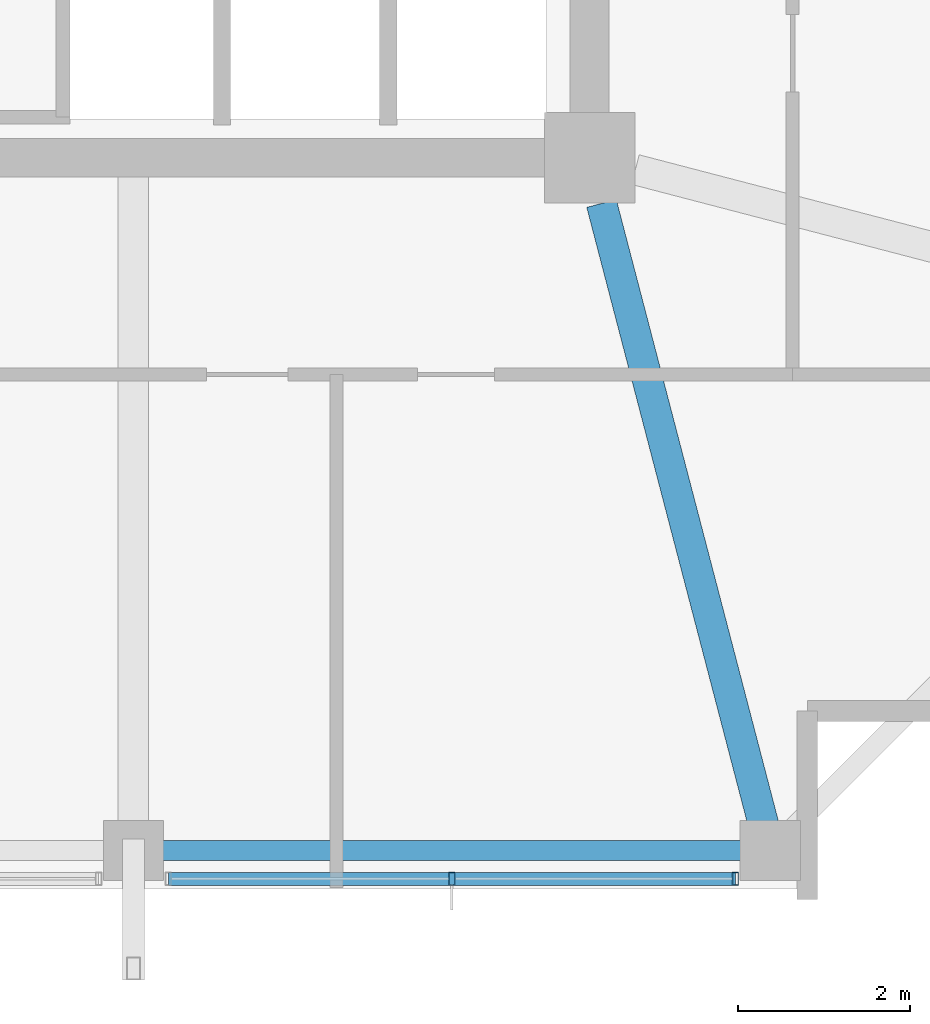
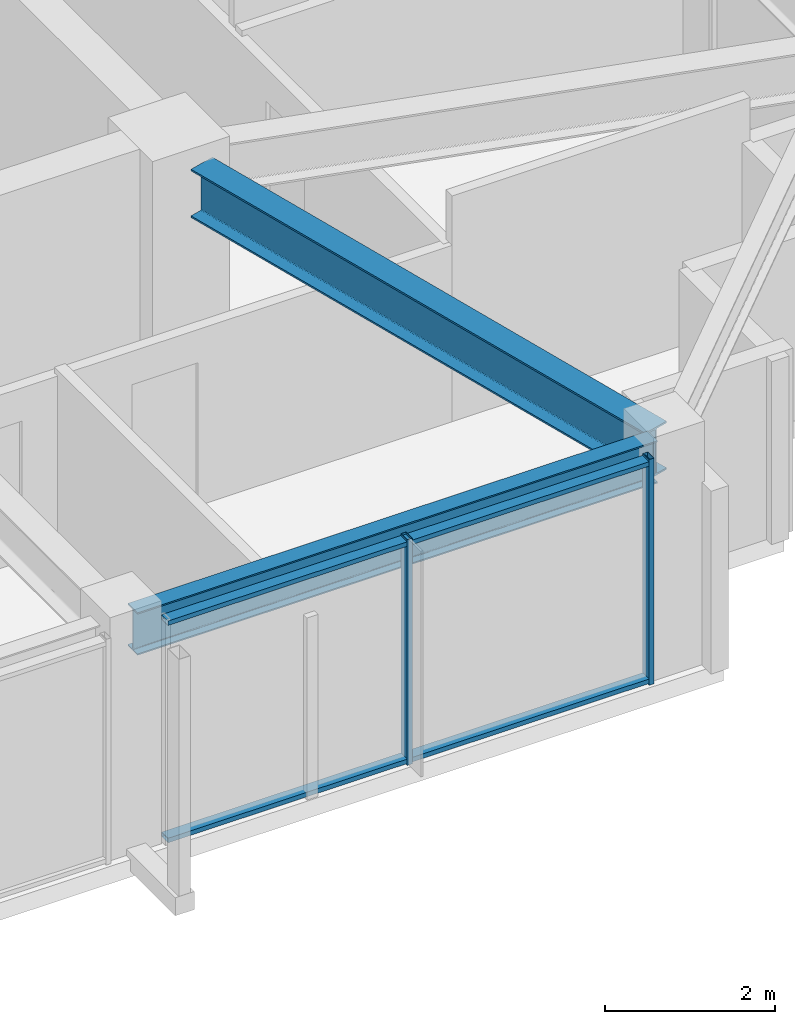
# One storey, part 6 of 29: 4 members, 2 beams, 1 element without a shape of its own.
"""IFC4 building model written with IfcOpenShell, lengths in metres."""

from ifc_helpers import new_model, si_unit, direction, frame, origin, origin_2d, place, context, subcontext, project, spatial, hollow_rectangle, i_section, extrude, material, material_profile, profile_set, type_object, element, aggregate, save


model = new_model("IFC4")

# Units and contexts
model_context = context("Model", 3, precision=1e-05, world=origin(), true_north=direction((0.0, 1.0)))
body_context = subcontext(model_context, "Body", "Model", "MODEL_VIEW")
ifc_project = project(units=[si_unit("LENGTHUNIT", "METRE"), si_unit("AREAUNIT", "SQUARE_METRE"), si_unit("VOLUMEUNIT", "CUBIC_METRE"), si_unit("PLANEANGLEUNIT", "RADIAN"), si_unit("MASSUNIT", "GRAM", prefix="KILO")], contexts=[model_context])

# Site, building, storey
site_placement = place(None, origin())
site = spatial("IfcSite", under=ifc_project, at=site_placement, CompositionType="ELEMENT")
building_placement = place(site_placement, origin())
building = spatial("IfcBuilding", under=site, at=building_placement, Name="Kolvaren Belvedere", CompositionType="ELEMENT")
storey_placement = place(building_placement, frame((0.0, 0.0, 244.39990234375)))
storey = spatial("IfcBuildingStorey", under=building, at=storey_placement, Name="L71", CompositionType="ELEMENT", Elevation=244.39990234375)

# Beams
ifc_material_1 = material(Name="Structural steel ASTM A992 Grade 50", Category="steel")
ifc_material_profile_1 = material_profile(ifc_material_1, i_section(OverallWidth=0.35498046875, OverallDepth=0.696044921875, WebThickness=0.015380859375, FlangeThickness=0.02490234375, FilletRadius=0.02197265625, at=origin_2d()), Name="W27X146")
ifc_profile_set_1 = profile_set([ifc_material_profile_1], Name="Structural steel ASTM A992 Grade 50")
beam_type_1 = type_object("IfcBeamType", Name="BM-GIRD-W27X146", PredefinedType="BEAM", material=ifc_profile_set_1)
beam_1_placement = place(storey_placement, frame((10.038818359375, -10.43212890625, 2.902099609375), z_axis=(0.25241668651, -0.967618631679, 0.0), x_axis=(0.967618631679, 0.25241668651, 0.0)))
element("IfcBeam", 1, at=beam_1_placement, inside=storey, type_object=beam_type_1, Name="L71 Corner Core-to-Perimeter Girder CC2-S4", PredefinedType="BEAM", context=body_context, shape_type="SweptSolid", body=[
    extrude(i_section(OverallWidth=0.35498046875, OverallDepth=0.696044921875, WebThickness=0.015380859375, FlangeThickness=0.02490234375, FilletRadius=0.02197265625, at=origin_2d()), origin(), (0.0, 0.0, 1.0), 7.62939453125),
])
ifc_material_2 = material(Name="Structural steel ASTM A992 Grade 50", Category="steel")
ifc_material_profile_2 = material_profile(ifc_material_2, i_section(OverallWidth=0.22900390625, OverallDepth=0.612060546875, WebThickness=0.011962890625, FlangeThickness=0.01953125, FilletRadius=0.01806640625, at=origin_2d()), Name="W24X84")
ifc_profile_set_2 = profile_set([ifc_material_profile_2], Name="Structural steel ASTM A992 Grade 50")
beam_type_2 = type_object("IfcBeamType", Name="BM-SPAN-W24X84", PredefinedType="SPANDREL", material=ifc_profile_set_2)
beam_2_placement = place(storey_placement, frame((4.757568359375, -17.949951171875, 2.944091796875), z_axis=(1.0, 0.0, 0.0), x_axis=(0.0, 1.0, 0.0)))
element("IfcBeam", 2, at=beam_2_placement, inside=storey, type_object=beam_type_2, Name="L71 Perimeter Spandrel S3-S4", PredefinedType="SPANDREL", context=body_context, shape_type="SweptSolid", body=[
    extrude(i_section(OverallWidth=0.22900390625, OverallDepth=0.612060546875, WebThickness=0.011962890625, FlangeThickness=0.01953125, FilletRadius=0.01806640625, at=origin_2d()), origin(), (0.0, 0.0, 1.0), 7.0849609375),
])

# Curtain wall, members
ifc_material_3 = material(Name="Anodised pale-metal aluminium AA 6063-T6", Category="aluminium")
curtain_wall_type = type_object("IfcCurtainWallType", Name="CW-Z5-HIGH", PredefinedType="NOTDEFINED", material=ifc_material_3)
curtain_wall_placement = place(storey_placement, origin())
curtain_wall = element("IfcCurtainWall", 3, at=curtain_wall_placement, inside=storey, type_object=curtain_wall_type, Name="L71 Unitised Curtain Wall FCW-L71-S-B1", PredefinedType="NOTDEFINED")
ifc_material_4 = material(Name="Anodised pale-metal aluminium AA 6063-T6", Category="aluminium")
ifc_material_profile_3 = material_profile(ifc_material_4, hollow_rectangle(XDim=0.070068359375, YDim=0.14990234375, WallThickness=0.004150390625, at=origin_2d()), Name="ALU-MUL-150X70")
ifc_profile_set_3 = profile_set([ifc_material_profile_3], Name="Anodised pale-metal aluminium AA 6063-T6")
member_type_1 = type_object("IfcMemberType", Name="CW-MUL-150", PredefinedType="MULLION", material=ifc_profile_set_3)
member_1_placement = place(storey_placement, frame((11.594970703125, -18.280029296875, 0.0), z_axis=(0.0, 0.0, 1.0), x_axis=(1.0, 0.0, 0.0)))
member_1 = element("IfcMember", 4, at=member_1_placement, type_object=member_type_1, Name="FCW-L71-S-B1 Unitised Mullion 1", PredefinedType="MULLION", context=body_context, shape_type="SweptSolid", body=[
    extrude(hollow_rectangle(XDim=0.070068359375, YDim=0.14990234375, WallThickness=0.004150390625, at=origin_2d()), origin(), (0.0, 0.0, 1.0), 3.25),
])
member_2_placement = place(storey_placement, frame((8.300048828125, -18.280029296875, 0.0), z_axis=(0.0, 0.0, 1.0), x_axis=(1.0, 0.0, 0.0)))
member_2 = element("IfcMember", 5, at=member_2_placement, type_object=member_type_1, Name="FCW-L71-S-B1 Unitised Mullion 2", PredefinedType="MULLION", context=body_context, shape_type="SweptSolid", body=[
    extrude(hollow_rectangle(XDim=0.070068359375, YDim=0.14990234375, WallThickness=0.004150390625, at=origin_2d()), origin(), (0.0, 0.0, 1.0), 3.25),
])
ifc_material_5 = material(Name="Anodised pale-metal aluminium AA 6063-T6", Category="aluminium")
ifc_material_profile_4 = material_profile(ifc_material_5, hollow_rectangle(XDim=0.06494140625, YDim=0.14990234375, WallThickness=0.00390625, at=origin_2d()), Name="ALU-TRN-150X65")
ifc_profile_set_4 = profile_set([ifc_material_profile_4], Name="Anodised pale-metal aluminium AA 6063-T6")
member_type_2 = type_object("IfcMemberType", Name="CW-TRN-150", PredefinedType="USERDEFINED", material=ifc_profile_set_4)
member_3_placement = place(storey_placement, frame((11.594970703125, -18.280029296875, 0.06005859375), z_axis=(-1.0, 0.0, 0.0), x_axis=(0.0, 0.0, 1.0)))
member_3 = element("IfcMember", 6, at=member_3_placement, type_object=member_type_2, Name="FCW-L71-S-B1 Sill Transom", ObjectType="TRANSOM", PredefinedType="USERDEFINED", context=body_context, shape_type="SweptSolid", body=[
    extrude(hollow_rectangle(XDim=0.06494140625, YDim=0.14990234375, WallThickness=0.00390625, at=origin_2d()), origin(), (0.0, 0.0, 1.0), 6.590087890625),
])
member_4_placement = place(storey_placement, frame((11.594970703125, -18.280029296875, 3.190185546875), z_axis=(-1.0, 0.0, 0.0), x_axis=(0.0, 0.0, 1.0)))
member_4 = element("IfcMember", 7, at=member_4_placement, type_object=member_type_2, Name="FCW-L71-S-B1 Head Transom", ObjectType="TRANSOM", PredefinedType="USERDEFINED", context=body_context, shape_type="SweptSolid", body=[
    extrude(hollow_rectangle(XDim=0.06494140625, YDim=0.14990234375, WallThickness=0.00390625, at=origin_2d()), origin(), (0.0, 0.0, 1.0), 6.590087890625),
])
aggregate(curtain_wall, [member_1, member_2, member_3, member_4])

save(model, "model.ifc")
